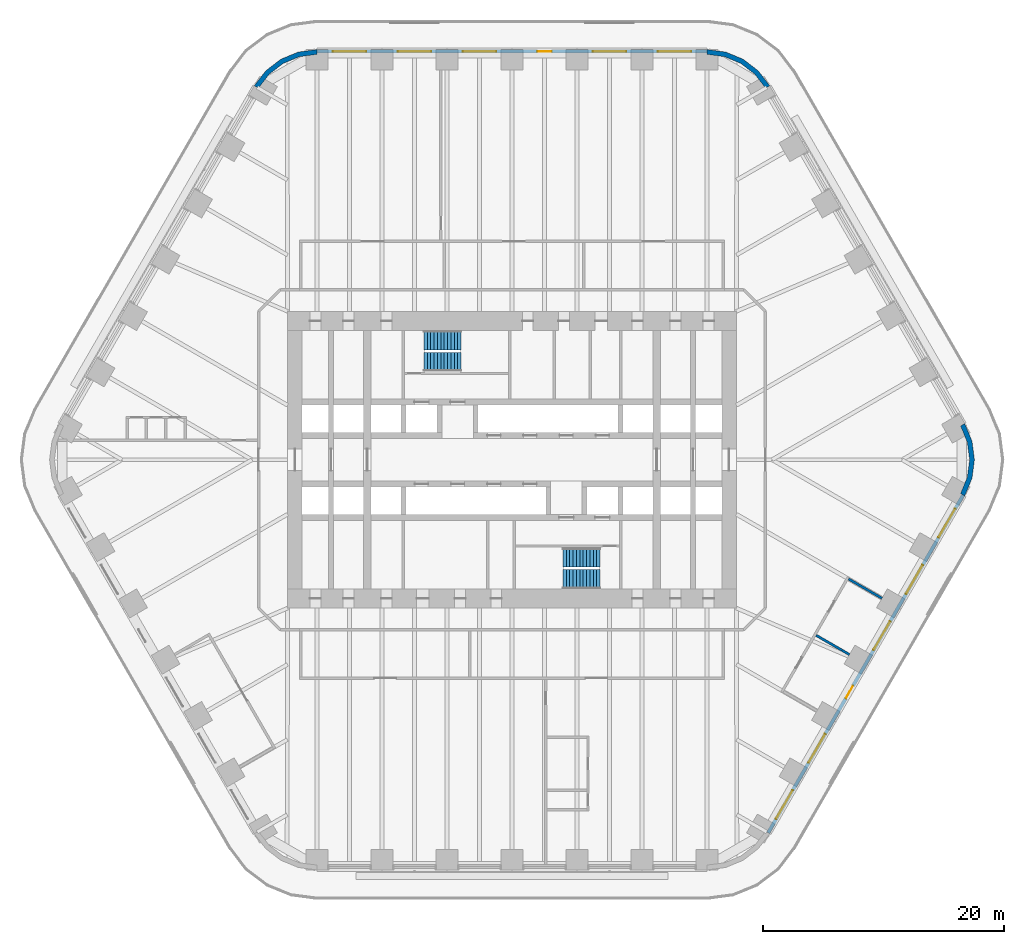
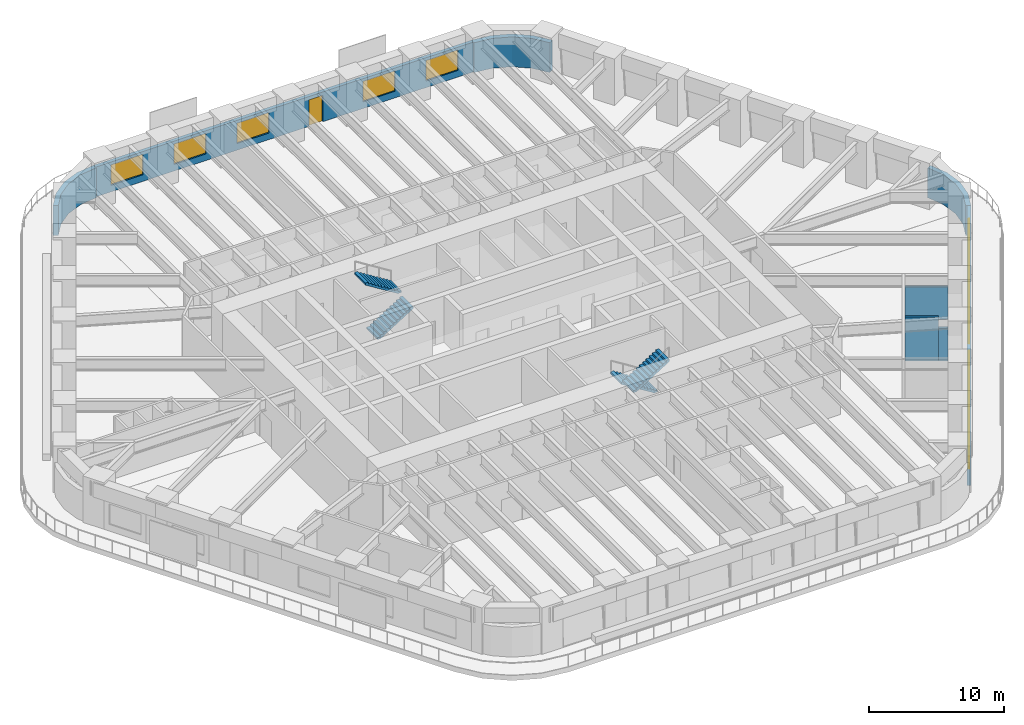
# One storey, part 20 of 23: 10 windows, 8 walls, 4 stair flights, 2 doors, 12 openings, 2 elements without a shape of their own.
"""IFC4 building model written with IfcOpenShell, lengths in metres."""

from ifc_helpers import new_model, si_unit, direction, frame, frame_2d, origin, place, context, subcontext, project, spatial, polyline, rectangle, outline, extrude, material, layer, layer_set, type_object, element, fill, aggregate, save


model = new_model("IFC4")

# Units and contexts
model_context = context("Model", 3, precision=1e-05, world=origin(), true_north=direction((0.0, 1.0)))
body_context = subcontext(model_context, "Body", "Model", "MODEL_VIEW")
ifc_project = project(units=[si_unit("LENGTHUNIT", "METRE"), si_unit("AREAUNIT", "SQUARE_METRE"), si_unit("VOLUMEUNIT", "CUBIC_METRE"), si_unit("PLANEANGLEUNIT", "RADIAN"), si_unit("MASSUNIT", "GRAM", prefix="KILO")], contexts=[model_context])

# Site, building, storey
site_placement = place(None, origin())
site = spatial("IfcSite", under=ifc_project, at=site_placement, CompositionType="ELEMENT")
building_placement = place(site_placement, origin())
building = spatial("IfcBuilding", under=site, at=building_placement, Name="Tarfa Lantern Tower", CompositionType="ELEMENT")
storey_placement = place(building_placement, frame((0.0, 0.0, 86.5)))
storey = spatial("IfcBuildingStorey", under=building, at=storey_placement, Name="L19", CompositionType="ELEMENT", Elevation=86.5)

# Wall, openings, door, windows
ifc_material_1 = material(Name="Limestone cladding on blockwork", Category="masonry")
ifc_layer_1 = layer(ifc_material_1, 0.300048828125)
ifc_layer_set_1 = layer_set([ifc_layer_1], Name="EW1 STONE-CLAD WALL 300")
wall_type_1 = type_object("IfcWallType", Name="EW1 STONE-CLAD WALL 300", PredefinedType="SOLIDWALL", material=ifc_layer_set_1)
wall_1_placement = place(storey_placement, frame((16.165771484375, 33.85009765625, 0.0), z_axis=(0.0, 0.0, 1.0), x_axis=(-1.0, 0.0, 0.0)))
wall_1 = element("IfcWall", 1, at=wall_1_placement, inside=storey, type_object=wall_type_1, Name="Stone wall N", PredefinedType="SOLIDWALL", context=body_context, shape_type="SweptSolid", body=[
    extrude(rectangle(XDim=32.33154296875, YDim=0.300048828125, at=frame_2d((16.165771484375, 0.0))), origin(), (0.0, 0.0, 1.0), 2.699951171875),
])
opening_1_placement = place(wall_1_placement, frame((1.3193359375, 0.0, 0.60009765625)))
opening_1 = element("IfcOpeningElement", 2, at=opening_1_placement, cuts=wall_1, Name="Opening W2", PredefinedType="OPENING", context=body_context, shape_type="SweptSolid", body=[
    extrude(rectangle(XDim=2.75, YDim=1.85009765625, at=frame_2d((1.375, 0.925048828125))), frame((0.0, 0.159912109375, 0.0), z_axis=(0.0, -1.0, 0.0), x_axis=(1.0, 0.0, 0.0)), (0.0, 0.0, 1.0), 0.320068359375),
])
opening_2_placement = place(wall_1_placement, frame((6.7080078125, 0.0, 0.60009765625)))
opening_2 = element("IfcOpeningElement", 3, at=opening_2_placement, cuts=wall_1, Name="Opening W2", PredefinedType="OPENING", context=body_context, shape_type="SweptSolid", body=[
    extrude(rectangle(XDim=2.75, YDim=1.85009765625, at=frame_2d((1.375, 0.925048828125))), frame((0.0, 0.159912109375, 0.0), z_axis=(0.0, -1.0, 0.0), x_axis=(1.0, 0.0, 0.0)), (0.0, 0.0, 1.0), 0.320068359375),
])
opening_3_placement = place(wall_1_placement, frame((12.87158203125, 0.0, 0.0)))
opening_3 = element("IfcOpeningElement", 4, at=opening_3_placement, cuts=wall_1, Name="Opening D47", PredefinedType="OPENING", context=body_context, shape_type="SweptSolid", body=[
    extrude(rectangle(XDim=1.199951171875, YDim=2.39990234375, at=frame_2d((0.60009765625, 1.199951171875))), frame((0.0, 0.159912109375, 0.0), z_axis=(0.0, -1.0, 0.0), x_axis=(1.0, 0.0, 0.0)), (0.0, 0.0, 1.0), 0.320068359375),
])
opening_4_placement = place(wall_1_placement, frame((17.485107421875, 0.0, 0.60009765625)))
opening_4 = element("IfcOpeningElement", 5, at=opening_4_placement, cuts=wall_1, Name="Opening W2", PredefinedType="OPENING", context=body_context, shape_type="SweptSolid", body=[
    extrude(rectangle(XDim=2.75, YDim=1.85009765625, at=frame_2d((1.375, 0.925048828125))), frame((0.0, 0.159912109375, 0.0), z_axis=(0.0, -1.0, 0.0), x_axis=(1.0, 0.0, 0.0)), (0.0, 0.0, 1.0), 0.320068359375),
])
opening_5_placement = place(wall_1_placement, frame((22.873779296875, 0.0, 0.60009765625)))
opening_5 = element("IfcOpeningElement", 6, at=opening_5_placement, cuts=wall_1, Name="Opening W2", PredefinedType="OPENING", context=body_context, shape_type="SweptSolid", body=[
    extrude(rectangle(XDim=2.75, YDim=1.85009765625, at=frame_2d((1.375, 0.925048828125))), frame((0.0, 0.159912109375, 0.0), z_axis=(0.0, -1.0, 0.0), x_axis=(1.0, 0.0, 0.0)), (0.0, 0.0, 1.0), 0.320068359375),
])
opening_6_placement = place(wall_1_placement, frame((28.26220703125, 0.0, 0.60009765625)))
opening_6 = element("IfcOpeningElement", 7, at=opening_6_placement, cuts=wall_1, Name="Opening W2", PredefinedType="OPENING", context=body_context, shape_type="SweptSolid", body=[
    extrude(rectangle(XDim=2.75, YDim=1.85009765625, at=frame_2d((1.375, 0.925048828125))), frame((0.0, 0.159912109375, 0.0), z_axis=(0.0, -1.0, 0.0), x_axis=(1.0, 0.0, 0.0)), (0.0, 0.0, 1.0), 0.320068359375),
])
ifc_material_2 = material(Name="Aluminium framed glazed door", Category="aluminium")
door_type = type_object("IfcDoorType", Name="BE3 BALCONY DOOR 1200x2400", OperationType="SINGLE_SWING_RIGHT", PredefinedType="DOOR", material=ifc_material_2)
door_1_placement = place(opening_3_placement, origin())
door_1 = element("IfcDoor", 8, at=door_1_placement, inside=storey, type_object=door_type, Name="Balcony door N", OperationType="SINGLE_SWING_RIGHT", OverallHeight=2.39990234375, OverallWidth=1.199951171875, PredefinedType="DOOR", context=body_context, shape_type="SweptSolid", body=[
    extrude(rectangle(XDim=1.199951171875, YDim=2.39990234375, at=frame_2d((0.60009765625, 1.199951171875))), frame((0.0, 0.02490234375, 0.0), z_axis=(0.0, -1.0, 0.0), x_axis=(1.0, 0.0, 0.0)), (0.0, 0.0, 1.0), 0.050048828125),
])
fill(opening_3, door_1)
ifc_material_3 = material(Name="Aluminium frame, double glazed", Category="aluminium")
window_type = type_object("IfcWindowType", Name="W2 FULL-HEIGHT GLAZING 2750x1850", PartitioningType="SINGLE_PANEL", PredefinedType="WINDOW", material=ifc_material_3)
window_1_placement = place(opening_1_placement, origin())
window_1 = element("IfcWindow", 9, at=window_1_placement, inside=storey, type_object=window_type, Name="Window N 1", OverallHeight=1.85009765625, OverallWidth=2.75, PartitioningType="SINGLE_PANEL", PredefinedType="WINDOW", context=body_context, shape_type="SweptSolid", body=[
    extrude(rectangle(XDim=2.75, YDim=1.85009765625, at=frame_2d((1.375, 0.925048828125))), frame((0.0, 0.030029296875, 0.0), z_axis=(0.0, -1.0, 0.0), x_axis=(1.0, 0.0, 0.0)), (0.0, 0.0, 1.0), 0.06005859375),
])
fill(opening_1, window_1)
window_2_placement = place(opening_2_placement, origin())
window_2 = element("IfcWindow", 10, at=window_2_placement, inside=storey, type_object=window_type, Name="Window N 2", OverallHeight=1.85009765625, OverallWidth=2.75, PartitioningType="SINGLE_PANEL", PredefinedType="WINDOW", context=body_context, shape_type="SweptSolid", body=[
    extrude(rectangle(XDim=2.75, YDim=1.85009765625, at=frame_2d((1.375, 0.925048828125))), frame((0.0, 0.030029296875, 0.0), z_axis=(0.0, -1.0, 0.0), x_axis=(1.0, 0.0, 0.0)), (0.0, 0.0, 1.0), 0.06005859375),
])
fill(opening_2, window_2)
window_3_placement = place(opening_4_placement, origin())
window_3 = element("IfcWindow", 11, at=window_3_placement, inside=storey, type_object=window_type, Name="Window N 4", OverallHeight=1.85009765625, OverallWidth=2.75, PartitioningType="SINGLE_PANEL", PredefinedType="WINDOW", context=body_context, shape_type="SweptSolid", body=[
    extrude(rectangle(XDim=2.75, YDim=1.85009765625, at=frame_2d((1.375, 0.925048828125))), frame((0.0, 0.030029296875, 0.0), z_axis=(0.0, -1.0, 0.0), x_axis=(1.0, 0.0, 0.0)), (0.0, 0.0, 1.0), 0.06005859375),
])
fill(opening_4, window_3)
window_4_placement = place(opening_5_placement, origin())
window_4 = element("IfcWindow", 12, at=window_4_placement, inside=storey, type_object=window_type, Name="Window N 5", OverallHeight=1.85009765625, OverallWidth=2.75, PartitioningType="SINGLE_PANEL", PredefinedType="WINDOW", context=body_context, shape_type="SweptSolid", body=[
    extrude(rectangle(XDim=2.75, YDim=1.85009765625, at=frame_2d((1.375, 0.925048828125))), frame((0.0, 0.030029296875, 0.0), z_axis=(0.0, -1.0, 0.0), x_axis=(1.0, 0.0, 0.0)), (0.0, 0.0, 1.0), 0.06005859375),
])
fill(opening_5, window_4)
window_5_placement = place(opening_6_placement, origin())
window_5 = element("IfcWindow", 13, at=window_5_placement, inside=storey, type_object=window_type, Name="Window N 6", OverallHeight=1.85009765625, OverallWidth=2.75, PartitioningType="SINGLE_PANEL", PredefinedType="WINDOW", context=body_context, shape_type="SweptSolid", body=[
    extrude(rectangle(XDim=2.75, YDim=1.85009765625, at=frame_2d((1.375, 0.925048828125))), frame((0.0, 0.030029296875, 0.0), z_axis=(0.0, -1.0, 0.0), x_axis=(1.0, 0.0, 0.0)), (0.0, 0.0, 1.0), 0.06005859375),
])
fill(opening_6, window_5)

wall_2_placement = place(storey_placement, frame((21.232177734375, -30.925048828125, 0.0), z_axis=(0.0, 0.0, 1.0), x_axis=(0.499999163675, 0.866025886636, 0.0)))
wall_2 = element("IfcWall", 14, at=wall_2_placement, inside=storey, type_object=wall_type_1, Name="Stone wall SE", PredefinedType="SOLIDWALL", context=body_context, shape_type="SweptSolid", body=[
    extrude(rectangle(XDim=32.33154296875, YDim=0.300048828125, at=frame_2d((16.165771484375, 0.0))), origin(), (0.0, 0.0, 1.0), 2.699951171875),
])
opening_7_placement = place(wall_2_placement, frame((1.3193359375, 0.0, 0.60009765625)))
opening_7 = element("IfcOpeningElement", 15, at=opening_7_placement, cuts=wall_2, Name="Opening W2", PredefinedType="OPENING", context=body_context, shape_type="SweptSolid", body=[
    extrude(rectangle(XDim=2.75, YDim=1.85009765625, at=frame_2d((1.375, 0.925048828125))), frame((0.0, 0.159912109375, 0.0), z_axis=(0.0, -1.0, 0.0), x_axis=(1.0, 0.0, 0.0)), (0.0, 0.0, 1.0), 0.320068359375),
])
opening_8_placement = place(wall_2_placement, frame((6.7080078125, 0.0, 0.60009765625)))
opening_8 = element("IfcOpeningElement", 16, at=opening_8_placement, cuts=wall_2, Name="Opening W2", PredefinedType="OPENING", context=body_context, shape_type="SweptSolid", body=[
    extrude(rectangle(XDim=2.75, YDim=1.85009765625, at=frame_2d((1.375, 0.925048828125))), frame((0.0, 0.159912109375, 0.0), z_axis=(0.0, -1.0, 0.0), x_axis=(1.0, 0.0, 0.0)), (0.0, 0.0, 1.0), 0.320068359375),
])
opening_9_placement = place(wall_2_placement, frame((12.87158203125, 0.0, 0.0)))
opening_9 = element("IfcOpeningElement", 17, at=opening_9_placement, cuts=wall_2, Name="Opening D48", PredefinedType="OPENING", context=body_context, shape_type="SweptSolid", body=[
    extrude(rectangle(XDim=1.199951171875, YDim=2.39990234375, at=frame_2d((0.60009765625, 1.199951171875))), frame((0.0, 0.159912109375, 0.0), z_axis=(0.0, -1.0, 0.0), x_axis=(1.0, 0.0, 0.0)), (0.0, 0.0, 1.0), 0.320068359375),
])
opening_10_placement = place(wall_2_placement, frame((17.485107421875, 0.0, 0.60009765625)))
opening_10 = element("IfcOpeningElement", 18, at=opening_10_placement, cuts=wall_2, Name="Opening W2", PredefinedType="OPENING", context=body_context, shape_type="SweptSolid", body=[
    extrude(rectangle(XDim=2.75, YDim=1.85009765625, at=frame_2d((1.375, 0.925048828125))), frame((0.0, 0.159912109375, 0.0), z_axis=(0.0, -1.0, 0.0), x_axis=(1.0, 0.0, 0.0)), (0.0, 0.0, 1.0), 0.320068359375),
])
opening_11_placement = place(wall_2_placement, frame((22.873779296875, 0.0, 0.60009765625)))
opening_11 = element("IfcOpeningElement", 19, at=opening_11_placement, cuts=wall_2, Name="Opening W2", PredefinedType="OPENING", context=body_context, shape_type="SweptSolid", body=[
    extrude(rectangle(XDim=2.75, YDim=1.85009765625, at=frame_2d((1.375, 0.925048828125))), frame((0.0, 0.159912109375, 0.0), z_axis=(0.0, -1.0, 0.0), x_axis=(1.0, 0.0, 0.0)), (0.0, 0.0, 1.0), 0.320068359375),
])
opening_12_placement = place(wall_2_placement, frame((28.26220703125, 0.0, 0.60009765625)))
opening_12 = element("IfcOpeningElement", 20, at=opening_12_placement, cuts=wall_2, Name="Opening W2", PredefinedType="OPENING", context=body_context, shape_type="SweptSolid", body=[
    extrude(rectangle(XDim=2.75, YDim=1.85009765625, at=frame_2d((1.375, 0.925048828125))), frame((0.0, 0.159912109375, 0.0), z_axis=(0.0, -1.0, 0.0), x_axis=(1.0, 0.0, 0.0)), (0.0, 0.0, 1.0), 0.320068359375),
])
door_2_placement = place(opening_9_placement, origin())
door_2 = element("IfcDoor", 21, at=door_2_placement, inside=storey, type_object=door_type, Name="Balcony door SE", OperationType="SINGLE_SWING_RIGHT", OverallHeight=2.39990234375, OverallWidth=1.199951171875, PredefinedType="DOOR", context=body_context, shape_type="SweptSolid", body=[
    extrude(rectangle(XDim=1.199951171875, YDim=2.39990234375, at=frame_2d((0.60009765625, 1.199951171875))), frame((0.0, 0.02490234375, 0.0), z_axis=(0.0, -1.0, 0.0), x_axis=(1.0, 0.0, 0.0)), (0.0, 0.0, 1.0), 0.050048828125),
])
fill(opening_9, door_2)
window_6_placement = place(opening_7_placement, origin())
window_6 = element("IfcWindow", 22, at=window_6_placement, inside=storey, type_object=window_type, Name="Window SE 1", OverallHeight=1.85009765625, OverallWidth=2.75, PartitioningType="SINGLE_PANEL", PredefinedType="WINDOW", context=body_context, shape_type="SweptSolid", body=[
    extrude(rectangle(XDim=2.75, YDim=1.85009765625, at=frame_2d((1.375, 0.925048828125))), frame((0.0, 0.030029296875, 0.0), z_axis=(0.0, -1.0, 0.0), x_axis=(1.0, 0.0, 0.0)), (0.0, 0.0, 1.0), 0.06005859375),
])
fill(opening_7, window_6)
window_7_placement = place(opening_8_placement, origin())
window_7 = element("IfcWindow", 23, at=window_7_placement, inside=storey, type_object=window_type, Name="Window SE 2", OverallHeight=1.85009765625, OverallWidth=2.75, PartitioningType="SINGLE_PANEL", PredefinedType="WINDOW", context=body_context, shape_type="SweptSolid", body=[
    extrude(rectangle(XDim=2.75, YDim=1.85009765625, at=frame_2d((1.375, 0.925048828125))), frame((0.0, 0.030029296875, 0.0), z_axis=(0.0, -1.0, 0.0), x_axis=(1.0, 0.0, 0.0)), (0.0, 0.0, 1.0), 0.06005859375),
])
fill(opening_8, window_7)
window_8_placement = place(opening_10_placement, origin())
window_8 = element("IfcWindow", 24, at=window_8_placement, inside=storey, type_object=window_type, Name="Window SE 4", OverallHeight=1.85009765625, OverallWidth=2.75, PartitioningType="SINGLE_PANEL", PredefinedType="WINDOW", context=body_context, shape_type="SweptSolid", body=[
    extrude(rectangle(XDim=2.75, YDim=1.85009765625, at=frame_2d((1.375, 0.925048828125))), frame((0.0, 0.030029296875, 0.0), z_axis=(0.0, -1.0, 0.0), x_axis=(1.0, 0.0, 0.0)), (0.0, 0.0, 1.0), 0.06005859375),
])
fill(opening_10, window_8)
window_9_placement = place(opening_11_placement, origin())
window_9 = element("IfcWindow", 25, at=window_9_placement, inside=storey, type_object=window_type, Name="Window SE 5", OverallHeight=1.85009765625, OverallWidth=2.75, PartitioningType="SINGLE_PANEL", PredefinedType="WINDOW", context=body_context, shape_type="SweptSolid", body=[
    extrude(rectangle(XDim=2.75, YDim=1.85009765625, at=frame_2d((1.375, 0.925048828125))), frame((0.0, 0.030029296875, 0.0), z_axis=(0.0, -1.0, 0.0), x_axis=(1.0, 0.0, 0.0)), (0.0, 0.0, 1.0), 0.06005859375),
])
fill(opening_11, window_9)
window_10_placement = place(opening_12_placement, origin())
window_10 = element("IfcWindow", 26, at=window_10_placement, inside=storey, type_object=window_type, Name="Window SE 6", OverallHeight=1.85009765625, OverallWidth=2.75, PartitioningType="SINGLE_PANEL", PredefinedType="WINDOW", context=body_context, shape_type="SweptSolid", body=[
    extrude(rectangle(XDim=2.75, YDim=1.85009765625, at=frame_2d((1.375, 0.925048828125))), frame((0.0, 0.030029296875, 0.0), z_axis=(0.0, -1.0, 0.0), x_axis=(1.0, 0.0, 0.0)), (0.0, 0.0, 1.0), 0.06005859375),
])
fill(opening_12, window_10)

# Walls
ifc_layer_2 = layer(ifc_material_1, 0.39990234375)
ifc_layer_set_2 = layer_set([ifc_layer_2], Name="EW2 CURVED STONE CORNER 400")
wall_type_2 = type_object("IfcWallType", Name="EW2 CURVED STONE CORNER 400", PredefinedType="SOLIDWALL", material=ifc_layer_set_2)
wall_3_placement = place(storey_placement, origin())
element("IfcWall", 27, at=wall_3_placement, inside=storey, type_object=wall_type_2, Name="Stone corner NE-N", PredefinedType="SOLIDWALL", context=body_context, shape_type="SweptSolid", body=[
    extrude(outline(polyline([(21.362060546875, 31.0), (20.408447265625, 32.24267578125), (19.165771484375, 33.196044921875), (17.71875, 33.795654296875), (16.165771484375, 34.0), (16.165771484375, 33.60009765625), (17.615234375, 33.4091796875), (18.9658203125, 32.849853515625), (20.12548828125, 31.959716796875), (21.015625, 30.800048828125), (21.362060546875, 31.0)])), origin(), (0.0, 0.0, 1.0), 2.699951171875),
])
wall_4_placement = place(storey_placement, origin())
element("IfcWall", 28, at=wall_4_placement, inside=storey, type_object=wall_type_2, Name="Stone corner N-NW", PredefinedType="SOLIDWALL", context=body_context, shape_type="SweptSolid", body=[
    extrude(outline(polyline([(-16.165771484375, 34.0), (-17.71875, 33.795654296875), (-19.165771484375, 33.196044921875), (-20.408447265625, 32.24267578125), (-21.362060546875, 31.0), (-21.015625, 30.800048828125), (-20.12548828125, 31.959716796875), (-18.9658203125, 32.849853515625), (-17.615234375, 33.4091796875), (-16.165771484375, 33.60009765625), (-16.165771484375, 34.0)])), origin(), (0.0, 0.0, 1.0), 2.699951171875),
])
wall_5_placement = place(storey_placement, origin())
element("IfcWall", 29, at=wall_5_placement, inside=storey, type_object=wall_type_2, Name="Stone corner SE-NE", PredefinedType="SOLIDWALL", context=body_context, shape_type="SweptSolid", body=[
    extrude(outline(polyline([(37.52783203125, -3.0), (38.127197265625, -1.552978515625), (38.33154296875, 0.0), (38.127197265625, 1.552978515625), (37.52783203125, 3.0), (37.181396484375, 2.800048828125), (37.74072265625, 1.449462890625), (37.931640625, 0.0), (37.74072265625, -1.449462890625), (37.181396484375, -2.800048828125), (37.52783203125, -3.0)])), origin(), (0.0, 0.0, 1.0), 2.699951171875),
])
ifc_material_4 = material(Name="Gypsum board on steel studs", Category="steel")
ifc_layer_3 = layer(ifc_material_4, 0.2099609375)
ifc_layer_set_3 = layer_set([ifc_layer_3], Name="IW2 ACOUSTIC PARTITION 200")
wall_type_3 = type_object("IfcWallType", Name="IW2 ACOUSTIC PARTITION 200", PredefinedType="PARTITIONING", material=ifc_layer_set_3)
wall_6_placement = place(storey_placement, frame((25.201416015625, -14.550048828125, 0.0), z_axis=(0.0, 0.0, 1.0), x_axis=(0.866020232408, -0.500008956979, 0.0)))
element("IfcWall", 30, at=wall_6_placement, inside=storey, type_object=wall_type_3, Name="Partition", PredefinedType="PARTITIONING", context=body_context, shape_type="SweptSolid", body=[
    extrude(rectangle(XDim=2.4833984375, YDim=0.199951171875, at=frame_2d((1.24169921875, 0.0))), origin(), (0.0, 0.0, 1.0), 4.0),
])
wall_7_placement = place(storey_placement, frame((27.35205078125, -15.791748046875, 0.0), z_axis=(0.0, 0.0, 1.0), x_axis=(0.866117509073, -0.499840435016, 0.0)))
element("IfcWall", 31, at=wall_7_placement, inside=storey, type_object=wall_type_3, Name="Partition", PredefinedType="PARTITIONING", context=body_context, shape_type="SweptSolid", body=[
    extrude(rectangle(XDim=0.716552734375, YDim=0.199951171875, at=frame_2d((0.3583984375, 0.0))), origin(), (0.0, 0.0, 1.0), 2.991943359375),
])
wall_8_placement = place(storey_placement, frame((27.895751953125, -9.88330078125, 0.0), z_axis=(0.0, 0.0, 1.0), x_axis=(0.866008981251, -0.500028443584, 0.0)))
element("IfcWall", 32, at=wall_8_placement, inside=storey, type_object=wall_type_3, Name="Partition", PredefinedType="PARTITIONING", context=body_context, shape_type="SweptSolid", body=[
    extrude(rectangle(XDim=3.199951171875, YDim=0.199951171875, at=frame_2d((1.60009765625, 0.0))), origin(), (0.0, 0.0, 1.0), 2.944091796875),
])

# Stair, stair flights
ifc_material_5 = material(Name="Concrete C40/50", Category="concrete")
stair_type = type_object("IfcStairType", Name="ST-T10 HALF-TURN STAIR 4200 RISE", PredefinedType="HALF_TURN_STAIR", material=ifc_material_5)
stair_1_placement = place(storey_placement, origin())
stair_1 = element("IfcStair", 33, at=stair_1_placement, inside=storey, type_object=stair_type, Name="Stair ST1", PredefinedType="HALF_TURN_STAIR")
stair_flight_type = type_object("IfcStairFlightType", Name="SF1 STAIR FLIGHT", PredefinedType="STRAIGHT", material=ifc_material_5)
stair_flight_1_placement = place(storey_placement, frame((-7.300048828125, 8.10009765625, 0.0), z_axis=(0.0, 0.0, 1.0), x_axis=(1.0, 0.0, 0.0)))
stair_flight_1 = element("IfcStairFlight", 34, at=stair_flight_1_placement, type_object=stair_flight_type, Name="ST1 flight 1", NumberOfRisers=12, NumberOfTreads=11, PredefinedType="STRAIGHT", RiserHeight=0.175, TreadLength=0.28, context=body_context, shape_type="SweptSolid", body=[
    extrude(outline(polyline([(0.0, 0.0), (0.0, 0.175048828125), (0.280029296875, 0.175048828125), (0.280029296875, 0.35009765625), (0.56005859375, 0.35009765625), (0.56005859375, 0.52490234375), (0.840087890625, 0.52490234375), (0.840087890625, 0.699951171875), (1.1201171875, 0.699951171875), (1.1201171875, 0.875), (1.39990234375, 0.875), (1.39990234375, 1.050048828125), (1.679931640625, 1.050048828125), (1.679931640625, 1.22509765625), (1.9599609375, 1.22509765625), (1.9599609375, 1.39990234375), (2.239990234375, 1.39990234375), (2.239990234375, 1.574951171875), (2.52001953125, 1.574951171875), (2.52001953125, 1.75), (2.800048828125, 1.75), (2.800048828125, 1.925048828125), (3.080078125, 1.925048828125), (3.080078125, 2.10009765625), (3.080078125, 1.748291015625), (0.28271484375, 0.0), (0.0, 0.0)])), frame((0.0, 0.800048828125, 0.0), z_axis=(0.0, -1.0, 0.0), x_axis=(1.0, 0.0, 0.0)), (0.0, 0.0, 1.0), 1.60009765625),
])
stair_flight_2_placement = place(storey_placement, frame((-4.219970703125, 9.89990234375, 2.10009765625), z_axis=(0.0, 0.0, 1.0), x_axis=(-1.0, 0.0, 0.0)))
stair_flight_2 = element("IfcStairFlight", 35, at=stair_flight_2_placement, type_object=stair_flight_type, Name="ST1 flight 2", NumberOfRisers=12, NumberOfTreads=11, PredefinedType="STRAIGHT", RiserHeight=0.175, TreadLength=0.28, context=body_context, shape_type="SweptSolid", body=[
    extrude(outline(polyline([(0.0, 0.0), (0.0, 0.175048828125), (0.280029296875, 0.175048828125), (0.280029296875, 0.35009765625), (0.56005859375, 0.35009765625), (0.56005859375, 0.52490234375), (0.840087890625, 0.52490234375), (0.840087890625, 0.699951171875), (1.1201171875, 0.699951171875), (1.1201171875, 0.875), (1.39990234375, 0.875), (1.39990234375, 1.050048828125), (1.679931640625, 1.050048828125), (1.679931640625, 1.22509765625), (1.9599609375, 1.22509765625), (1.9599609375, 1.39990234375), (2.239990234375, 1.39990234375), (2.239990234375, 1.574951171875), (2.52001953125, 1.574951171875), (2.52001953125, 1.75), (2.800048828125, 1.75), (2.800048828125, 1.925048828125), (3.080078125, 1.925048828125), (3.080078125, 2.10009765625), (3.080078125, 1.748291015625), (0.28271484375, 0.0), (0.0, 0.0)])), frame((0.0, 0.800048828125, 0.0), z_axis=(0.0, -1.0, 0.0), x_axis=(1.0, 0.0, 0.0)), (0.0, 0.0, 1.0), 1.60009765625),
])
aggregate(stair_1, [stair_flight_1, stair_flight_2])

stair_2_placement = place(storey_placement, origin())
stair_2 = element("IfcStair", 36, at=stair_2_placement, inside=storey, type_object=stair_type, Name="Stair ST2", PredefinedType="HALF_TURN_STAIR")
stair_flight_3_placement = place(storey_placement, frame((7.300048828125, -8.10009765625, 0.0), z_axis=(0.0, 0.0, 1.0), x_axis=(-1.0, 0.0, 0.0)))
stair_flight_3 = element("IfcStairFlight", 37, at=stair_flight_3_placement, type_object=stair_flight_type, Name="ST2 flight 1", NumberOfRisers=12, NumberOfTreads=11, PredefinedType="STRAIGHT", RiserHeight=0.175, TreadLength=0.28, context=body_context, shape_type="SweptSolid", body=[
    extrude(outline(polyline([(0.0, 0.0), (0.0, 0.175048828125), (0.280029296875, 0.175048828125), (0.280029296875, 0.35009765625), (0.56005859375, 0.35009765625), (0.56005859375, 0.52490234375), (0.840087890625, 0.52490234375), (0.840087890625, 0.699951171875), (1.1201171875, 0.699951171875), (1.1201171875, 0.875), (1.39990234375, 0.875), (1.39990234375, 1.050048828125), (1.679931640625, 1.050048828125), (1.679931640625, 1.22509765625), (1.9599609375, 1.22509765625), (1.9599609375, 1.39990234375), (2.239990234375, 1.39990234375), (2.239990234375, 1.574951171875), (2.52001953125, 1.574951171875), (2.52001953125, 1.75), (2.800048828125, 1.75), (2.800048828125, 1.925048828125), (3.080078125, 1.925048828125), (3.080078125, 2.10009765625), (3.080078125, 1.748291015625), (0.28271484375, 0.0), (0.0, 0.0)])), frame((0.0, 0.800048828125, 0.0), z_axis=(0.0, -1.0, 0.0), x_axis=(1.0, 0.0, 0.0)), (0.0, 0.0, 1.0), 1.60009765625),
])
stair_flight_4_placement = place(storey_placement, frame((4.219970703125, -9.89990234375, 2.10009765625), z_axis=(0.0, 0.0, 1.0), x_axis=(1.0, 0.0, 0.0)))
stair_flight_4 = element("IfcStairFlight", 38, at=stair_flight_4_placement, type_object=stair_flight_type, Name="ST2 flight 2", NumberOfRisers=12, NumberOfTreads=11, PredefinedType="STRAIGHT", RiserHeight=0.175, TreadLength=0.28, context=body_context, shape_type="SweptSolid", body=[
    extrude(outline(polyline([(0.0, 0.0), (0.0, 0.175048828125), (0.280029296875, 0.175048828125), (0.280029296875, 0.35009765625), (0.56005859375, 0.35009765625), (0.56005859375, 0.52490234375), (0.840087890625, 0.52490234375), (0.840087890625, 0.699951171875), (1.1201171875, 0.699951171875), (1.1201171875, 0.875), (1.39990234375, 0.875), (1.39990234375, 1.050048828125), (1.679931640625, 1.050048828125), (1.679931640625, 1.22509765625), (1.9599609375, 1.22509765625), (1.9599609375, 1.39990234375), (2.239990234375, 1.39990234375), (2.239990234375, 1.574951171875), (2.52001953125, 1.574951171875), (2.52001953125, 1.75), (2.800048828125, 1.75), (2.800048828125, 1.925048828125), (3.080078125, 1.925048828125), (3.080078125, 2.10009765625), (3.080078125, 1.748291015625), (0.28271484375, 0.0), (0.0, 0.0)])), frame((0.0, 0.800048828125, 0.0), z_axis=(0.0, -1.0, 0.0), x_axis=(1.0, 0.0, 0.0)), (0.0, 0.0, 1.0), 1.60009765625),
])
aggregate(stair_2, [stair_flight_3, stair_flight_4])

save(model, "model.ifc")
